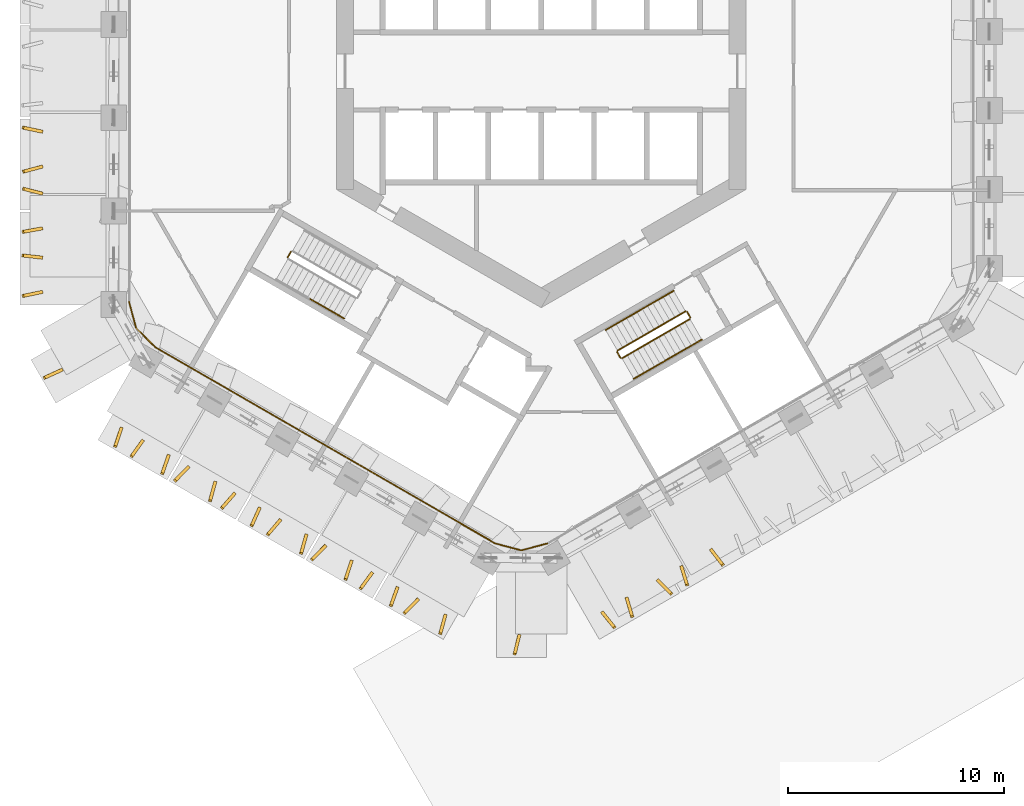
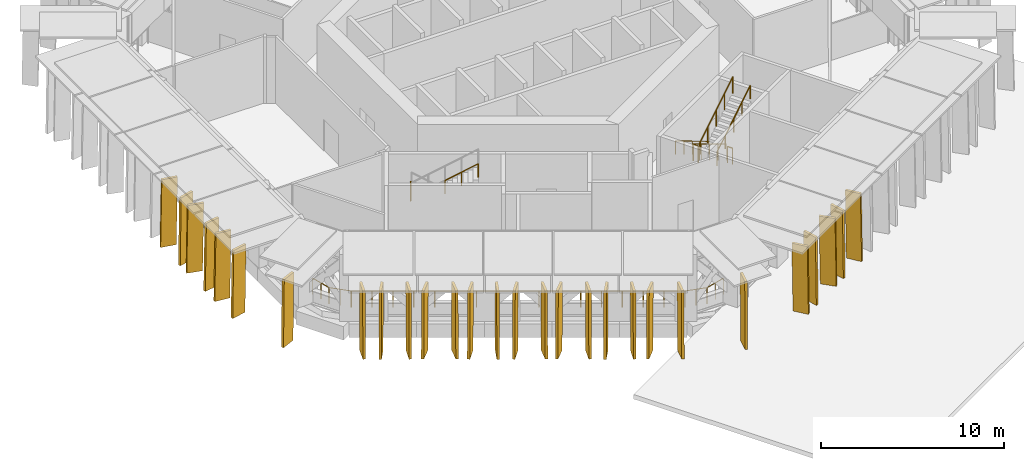
# One storey, part 12 of 16: 28 shading devices, 13 railings.
"""IFC4 building model written with IfcOpenShell, lengths in metres."""

from ifc_helpers import new_model, si_unit, direction, frame, origin, origin_2d, place, context, subcontext, project, spatial, polyline, circle, outline, extrude, material, layer, layer_set, type_object, element, save


model = new_model("IFC4")

# Units and contexts
model_context = context("Model", 3, precision=1e-05, world=origin(), true_north=direction((0.0, 1.0)))
body_context = subcontext(model_context, "Body", "Model", "MODEL_VIEW")
ifc_project = project(units=[si_unit("LENGTHUNIT", "METRE"), si_unit("AREAUNIT", "SQUARE_METRE"), si_unit("VOLUMEUNIT", "CUBIC_METRE"), si_unit("PLANEANGLEUNIT", "RADIAN"), si_unit("MASSUNIT", "GRAM", prefix="KILO")], contexts=[model_context])

# Site, building, storey
site_placement = place(None, origin())
site = spatial("IfcSite", under=ifc_project, at=site_placement, CompositionType="ELEMENT")
building_placement = place(site_placement, origin())
building = spatial("IfcBuilding", under=site, at=building_placement, Name="Ayvan Gate Tower", CompositionType="ELEMENT")
storey_placement = place(building_placement, frame((0.0, 0.0, 78.300048828125)))
storey = spatial("IfcBuildingStorey", under=building, at=storey_placement, Name="L20", CompositionType="ELEMENT", Elevation=78.300048828125)

# Shading devices
ifc_material_1 = material(Name="Bronze anodised aluminium", Category="aluminium")
ifc_layer = layer(ifc_material_1, 0.14990234375)
ifc_layer_set = layer_set([ifc_layer], Name="Bronze anodised aluminium")
shading_device_type = type_object("IfcShadingDeviceType", Name="Bronze fin 900 x 150", PredefinedType="USERDEFINED", material=ifc_layer_set)
shading_device_1_placement = place(storey_placement, frame((-23.167724609375, -2.724609375, 0.0), z_axis=(0.205600355029, 0.978635990691, 0.000302879421), x_axis=(-0.978636035579, 0.205600364459, 0.0)))
element("IfcShadingDevice", 1, at=shading_device_1_placement, inside=storey, type_object=shading_device_type, Name="Bronze fin FG06.3.26", ObjectType="FIN", PredefinedType="USERDEFINED", context=body_context, shape_type="SweptSolid", body=[
    extrude(outline(polyline([(0.0, 0.0), (0.9000888409741108, 2.0328790734103208e-20), (0.8282045230381858, 4.500000206405888), (-0.0718843179359249, 4.500000206405888), (0.0, 0.0)])), origin(), (0.0, 0.0, -1.0), 0.14990234375),
])
shading_device_2_placement = place(storey_placement, frame((-23.197265625, -4.366455078125, 0.0), z_axis=(-0.255534637674, 0.966799839353, 0.000345796303), x_axis=(-0.966799897156, -0.255534652952, 0.0)))
element("IfcShadingDevice", 2, at=shading_device_2_placement, inside=storey, type_object=shading_device_type, Name="Bronze fin FG06.3.27", ObjectType="FIN", PredefinedType="USERDEFINED", context=body_context, shape_type="SweptSolid", body=[
    extrude(outline(polyline([(0.0, 0.0), (0.8999971866563695, 1.3552527156068805e-20), (0.8281864782480977, 4.500000269043961), (-0.07181070840827192, 4.500000269043961), (0.0, 0.0)])), origin(), (0.0, 0.0, -1.0), 0.14990234375),
])
shading_device_3_placement = place(storey_placement, frame((-23.1611328125, -5.5947265625, 0.0), z_axis=(0.244450267778, 0.969661772517, 0.000336900076), x_axis=(-0.969661827547, 0.244450281651, 0.0)))
element("IfcShadingDevice", 3, at=shading_device_3_placement, inside=storey, type_object=shading_device_type, Name="Bronze fin FG06.3.28", ObjectType="FIN", PredefinedType="USERDEFINED", context=body_context, shape_type="SweptSolid", body=[
    extrude(outline(polyline([(0.0, 0.0), (0.8998586609908716, 0.0), (0.8279711900455661, 4.50000025537876), (-0.0718874709453055, 4.50000025537876), (0.0, 0.0)])), origin(), (0.0, 0.0, -1.0), 0.14990234375),
])
shading_device_4_placement = place(storey_placement, frame((-23.198974609375, -7.22802734375, 0.0), z_axis=(-0.174992413085, 0.984569716414, 0.000359003633), x_axis=(-0.984569779861, -0.174992424362, 0.0)))
element("IfcShadingDevice", 4, at=shading_device_4_placement, inside=storey, type_object=shading_device_type, Name="Bronze fin FG06.3.29", ObjectType="FIN", PredefinedType="USERDEFINED", context=body_context, shape_type="SweptSolid", body=[
    extrude(outline(polyline([(0.0, 0.0), (0.8998715441478868, -6.776263578034403e-21), (0.8280003368637328, 4.500000289988147), (-0.07187120728415394, 4.500000289988147), (0.0, 0.0)])), origin(), (0.0, 0.0, -1.0), 0.14990234375),
])
shading_device_5_placement = place(storey_placement, frame((-23.181396484375, -8.57080078125, 0.0), z_axis=(0.111086522874, 0.99381068754, 0.000319009877), x_axis=(-0.993810738107, 0.111086528541, -4.7814e-08)))
element("IfcShadingDevice", 5, at=shading_device_5_placement, inside=storey, type_object=shading_device_type, Name="Bronze fin FG06.3.30", ObjectType="FIN", PredefinedType="USERDEFINED", context=body_context, shape_type="SweptSolid", body=[
    extrude(outline(polyline([(0.0, 0.0), (0.8998716333954143, 0.0), (0.8282085033390822, 4.5000002685764535), (-0.07187863889655798, 4.500000182513136), (0.0, 0.0)])), origin(), (0.0, 0.0, -1.0), 0.14990234375),
])
shading_device_6_placement = place(storey_placement, frame((-23.198486328125, -10.17431640625, 0.0), z_axis=(-0.206277023189, 0.978493571539, 0.000346641632), x_axis=(-0.978493630331, -0.206277035564, -5.5692e-08)))
element("IfcShadingDevice", 6, at=shading_device_6_placement, inside=storey, type_object=shading_device_type, Name="Bronze fin FG06.3.31", ObjectType="FIN", PredefinedType="USERDEFINED", context=body_context, shape_type="SweptSolid", body=[
    extrude(outline(polyline([(0.0, 0.0), (0.9001893469882734, -1.3552527156068805e-20), (0.828191510262784, 4.500000316484449), (-0.07180930728340729, 4.500000216228631), (0.0, 0.0)])), origin(), (0.0, 0.0, -1.0), 0.14990234375),
])
shading_device_7_placement = place(storey_placement, frame((-22.28662109375, -13.797119140625, 0.0), z_axis=(-0.413700721719, 0.910412866944, 0.000352919001), x_axis=(-0.910412923641, -0.413700747483, 0.0)))
element("IfcShadingDevice", 7, at=shading_device_7_placement, inside=storey, type_object=shading_device_type, Name="Bronze fin FG06.4.32", ObjectType="FIN", PredefinedType="USERDEFINED", context=body_context, shape_type="SweptSolid", body=[
    extrude(outline(polyline([(0.0, 0.0), (0.8999607938598058, 0.0), (0.8280098199792737, 4.500000280241624), (-0.07195097388053205, 4.500000280241624), (0.0, 0.0)])), origin(), (0.0, 0.0, -1.0), 0.14990234375),
])
shading_device_8_placement = place(storey_placement, frame((-19.552001953125, -16.563232421875, 0.0), z_axis=(-0.947825522784, 0.318789385417, 0.000325736749), x_axis=(-0.318789402342, -0.947825573064, -4.1863e-08)))
element("IfcShadingDevice", 8, at=shading_device_8_placement, inside=storey, type_object=shading_device_type, Name="Bronze fin FG06.5.33", ObjectType="FIN", PredefinedType="USERDEFINED", context=body_context, shape_type="SweptSolid", body=[
    extrude(outline(polyline([(0.0, 0.0), (0.9002799597200875, 0.0), (0.8283982713443631, 4.500000273414011), (-0.07180385893179313, 4.5000001980408975), (0.0, 0.0)])), origin(), (0.0, 0.0, -1.0), 0.14990234375),
])
shading_device_9_placement = place(storey_placement, frame((-18.55810546875, -17.118896484375, 0.0), z_axis=(-0.812485133158, 0.582981820086, 0.000325339394), x_axis=(-0.582981850939, -0.812485176157, 0.0)))
element("IfcShadingDevice", 9, at=shading_device_9_placement, inside=storey, type_object=shading_device_type, Name="Bronze fin FG06.5.34", ObjectType="FIN", PredefinedType="USERDEFINED", context=body_context, shape_type="SweptSolid", body=[
    extrude(outline(polyline([(0.0, 0.0), (0.8999563233055965, -2.710505431213761e-20), (0.8282915718011324, 4.500000238152892), (-0.07166475150446404, 4.500000238152892), (0.0, 0.0)])), origin(), (0.0, 0.0, -1.0), 0.14990234375),
])
shading_device_10_placement = place(storey_placement, frame((-17.362060546875, -17.827880859375, 0.0), z_axis=(-0.944183457998, 0.329419939597, 0.000317865729), x_axis=(-0.329419956227, -0.944183505702, 4.0704e-08)))
element("IfcShadingDevice", 10, at=shading_device_10_placement, inside=storey, type_object=shading_device_type, Name="Bronze fin FG06.5.35", ObjectType="FIN", PredefinedType="USERDEFINED", context=body_context, shape_type="SweptSolid", body=[
    extrude(outline(polyline([(0.0, 0.0), (0.9000533716327275, 0.0), (0.8282284856843766, 4.500000193624333), (-0.07190531074235162, 4.500000266899964), (0.0, 0.0)])), origin(), (0.0, 0.0, -1.0), 0.14990234375),
])
shading_device_11_placement = place(storey_placement, frame((-16.426513671875, -18.3232421875, 0.0), z_axis=(-0.713990370445, 0.700155450653, 0.000309567869), x_axis=(-0.700155484202, -0.713990404657, 0.0)))
element("IfcShadingDevice", 11, at=shading_device_11_placement, inside=storey, type_object=shading_device_type, Name="Bronze fin FG06.5.36", ObjectType="FIN", PredefinedType="USERDEFINED", context=body_context, shape_type="SweptSolid", body=[
    extrude(outline(polyline([(0.0, 0.0), (0.89998145746627, -2.710505431213761e-20), (0.8281761168799169, 4.500000215622613), (-0.0718053405863532, 4.500000215622613), (0.0, 0.0)])), origin(), (0.0, 0.0, -1.0), 0.14990234375),
])
shading_device_12_placement = place(storey_placement, frame((-15.201171875, -19.073974609375, 0.0), z_axis=(-0.964239142328, 0.265033518654, 0.000332254717), x_axis=(-0.265033533286, -0.964239195549, -1.1946e-08)))
element("IfcShadingDevice", 12, at=shading_device_12_placement, inside=storey, type_object=shading_device_type, Name="Bronze fin FG06.5.37", ObjectType="FIN", PredefinedType="USERDEFINED", context=body_context, shape_type="SweptSolid", body=[
    extrude(outline(polyline([(0.0, 0.0), (0.8998642243660473, 0.0), (0.8280433039264007, 4.500000258276122), (-0.07205633039949752, 4.500000236774619), (0.0, 0.0)])), origin(), (0.0, 0.0, -1.0), 0.14990234375),
])
shading_device_13_placement = place(storey_placement, frame((-14.29736328125, -19.563232421875, 0.0), z_axis=(-0.750960993753, 0.660346480778, 0.00033344463), x_axis=(-0.660346517489, -0.750961035501, 0.0)))
element("IfcShadingDevice", 13, at=shading_device_13_placement, inside=storey, type_object=shading_device_type, Name="Bronze fin FG06.5.38", ObjectType="FIN", PredefinedType="USERDEFINED", context=body_context, shape_type="SweptSolid", body=[
    extrude(outline(polyline([(0.0, 0.0), (0.8998885668539837, 0.0), (0.8280215010131775, 4.500000250166995), (-0.0718670658408061, 4.500000250166995), (0.0, 0.0)])), origin(), (0.0, 0.0, -1.0), 0.14990234375),
])
shading_device_14_placement = place(storey_placement, frame((-13.14453125, -20.26171875, 0.0), z_axis=(-0.91191637683, 0.41037593572, 0.000336231704), x_axis=(-0.41037595893, -0.911916428371, -4.1594e-08)))
element("IfcShadingDevice", 14, at=shading_device_14_placement, inside=storey, type_object=shading_device_type, Name="Bronze fin FG06.5.39", ObjectType="FIN", PredefinedType="USERDEFINED", context=body_context, shape_type="SweptSolid", body=[
    extrude(outline(polyline([(0.0, 0.0), (0.8998657084020609, -2.710505431213761e-20), (0.8279203267167369, 4.500000288802634), (-0.071845192242226, 4.500000213949571), (0.0, 0.0)])), origin(), (0.0, 0.0, -1.0), 0.14990234375),
])
shading_device_15_placement = place(storey_placement, frame((-12.177978515625, -20.78955078125, 0.0), z_axis=(-0.760652666571, 0.649158998254, 0.000340328941), x_axis=(-0.649159035848, -0.760652710622, 0.0)))
element("IfcShadingDevice", 15, at=shading_device_15_placement, inside=storey, type_object=shading_device_type, Name="Bronze fin FG06.5.40", ObjectType="FIN", PredefinedType="USERDEFINED", context=body_context, shape_type="SweptSolid", body=[
    extrude(outline(polyline([(0.0, 0.0), (0.8999774837326424, -2.710505431213761e-20), (0.8280588393568872, 4.500000260603546), (-0.07191864437575517, 4.500000260603546), (0.0, 0.0)])), origin(), (0.0, 0.0, -1.0), 0.14990234375),
])
shading_device_16_placement = place(storey_placement, frame((-10.97314453125, -21.51513671875, 0.0), z_axis=(-0.962616633679, 0.270867326681, 0.00032848143), x_axis=(-0.270867341277, -0.962616685618, 5.4952e-08)))
element("IfcShadingDevice", 16, at=shading_device_16_placement, inside=storey, type_object=shading_device_type, Name="Bronze fin FG06.5.41", ObjectType="FIN", PredefinedType="USERDEFINED", context=body_context, shape_type="SweptSolid", body=[
    extrude(outline(polyline([(0.0, 0.0), (0.9000615780887491, 0.0), (0.8281668963307929, 4.50000019726585), (-0.0717257976406858, 4.500000296176637), (0.0, 0.0)])), origin(), (0.0, 0.0, -1.0), 0.14990234375),
])
shading_device_17_placement = place(storey_placement, frame((-10.08251953125, -21.985107421875, 0.0), z_axis=(-0.710287441491, 0.703911675687, 0.000321392164), x_axis=(-0.703911712034, -0.710287478181, 3.097e-08)))
element("IfcShadingDevice", 17, at=shading_device_17_placement, inside=storey, type_object=shading_device_type, Name="Bronze fin FG06.5.42", ObjectType="FIN", PredefinedType="USERDEFINED", context=body_context, shape_type="SweptSolid", body=[
    extrude(outline(polyline([(0.0, 0.0), (0.8997752926990306, 2.710505431213761e-20), (0.8279652991878486, 4.500000206766761), (-0.07198184695650284, 4.500000262504708), (0.0, 0.0)])), origin(), (0.0, 0.0, -1.0), 0.14990234375),
])
shading_device_18_placement = place(storey_placement, frame((-8.875732421875, -22.727294921875, 0.0), z_axis=(-0.949291830509, 0.314396122749, 0.000313892976), x_axis=(-0.314396138242, -0.949291877274, -1.3387e-08)))
element("IfcShadingDevice", 18, at=shading_device_18_placement, inside=storey, type_object=shading_device_type, Name="Bronze fin FG06.5.43", ObjectType="FIN", PredefinedType="USERDEFINED", context=body_context, shape_type="SweptSolid", body=[
    extrude(outline(polyline([(0.0, 0.0), (0.89989194404405, 0.0), (0.8281719932874363, 4.500000232776434), (-0.07195171146883896, 4.500000208679889), (0.0, 0.0)])), origin(), (0.0, 0.0, -1.0), 0.14990234375),
])
shading_device_19_placement = place(storey_placement, frame((-7.92626953125, -23.255859375, 0.0), z_axis=(-0.806654949612, 0.591022574044, 0.000330509638), x_axis=(-0.591022606324, -0.806654993671, 0.0)))
element("IfcShadingDevice", 19, at=shading_device_19_placement, inside=storey, type_object=shading_device_type, Name="Bronze fin FG06.5.44", ObjectType="FIN", PredefinedType="USERDEFINED", context=body_context, shape_type="SweptSolid", body=[
    extrude(outline(polyline([(0.0, 0.0), (0.9001050318254051, 0.0), (0.8281933338149174, 4.5000002457824175), (-0.07191169801048763, 4.5000002457824175), (0.0, 0.0)])), origin(), (0.0, 0.0, -1.0), 0.14990234375),
])
shading_device_20_placement = place(storey_placement, frame((-6.7509765625, -23.954345703125, 0.0), z_axis=(-0.940799144257, 0.338964397563, 0.000327642165), x_axis=(-0.338964415744, -0.940799194759, 4.1812e-08)))
element("IfcShadingDevice", 20, at=shading_device_20_placement, inside=storey, type_object=shading_device_type, Name="Bronze fin FG06.5.45", ObjectType="FIN", PredefinedType="USERDEFINED", context=body_context, shape_type="SweptSolid", body=[
    extrude(outline(polyline([(0.0, 0.0), (0.8999165436251791, 0.0), (0.8280634499907235, 4.500000206912873), (-0.07193584861876824, 4.500000282171578), (0.0, 0.0)])), origin(), (0.0, 0.0, -1.0), 0.14990234375),
])
shading_device_21_placement = place(storey_placement, frame((-5.791015625, -24.464599609375, 0.0), z_axis=(-0.716471153917, 0.697616649867, 0.000308922538), x_axis=(-0.697616683148, -0.716471188111, 3.0025e-08)))
element("IfcShadingDevice", 21, at=shading_device_21_placement, inside=storey, type_object=shading_device_type, Name="Bronze fin FG06.5.46", ObjectType="FIN", PredefinedType="USERDEFINED", context=body_context, shape_type="SweptSolid", body=[
    extrude(outline(polyline([(0.0, 0.0), (0.8998468994568811, 0.0), (0.8280424880097126, 4.5000001898622095), (-0.07197472802020284, 4.500000243903968), (0.0, 0.0)])), origin(), (0.0, 0.0, -1.0), 0.14990234375),
])
shading_device_22_placement = place(storey_placement, frame((-4.52587890625, -25.237060546875, 0.0), z_axis=(-0.964578868587, 0.263794417801, 0.000333784164), x_axis=(-0.26379443251, -0.964578922316, -4.3665e-08)))
element("IfcShadingDevice", 22, at=shading_device_22_placement, inside=storey, type_object=shading_device_type, Name="Bronze fin FG06.5.47", ObjectType="FIN", PredefinedType="USERDEFINED", context=body_context, shape_type="SweptSolid", body=[
    extrude(outline(polyline([(0.0, 0.0), (0.9000768141085735, -1.3552527156068805e-20), (0.8282577727857703, 4.5000002868426465), (-0.07175463838517863, 4.500000208241658), (0.0, 0.0)])), origin(), (0.0, 0.0, -1.0), 0.14990234375),
])
shading_device_23_placement = place(storey_placement, frame((-1.097900390625, -26.177734375, 0.0), z_axis=(-0.970555886714, 0.240875804193, 0.000343103021), x_axis=(-0.240875818371, -0.970555943841, 0.0)))
element("IfcShadingDevice", 23, at=shading_device_23_placement, inside=storey, type_object=shading_device_type, Name="Bronze fin FG06.6.48", ObjectType="FIN", PredefinedType="USERDEFINED", context=body_context, shape_type="SweptSolid", body=[
    extrude(outline(polyline([(0.0, 0.0), (0.9000358627379677, 0.0), (0.8282132733665653, 4.500000264869311), (-0.0718225893714023, 4.500000264869311), (0.0, 0.0)])), origin(), (0.0, 0.0, -1.0), 0.14990234375),
])
shading_device_24_placement = place(storey_placement, frame((2.79443359375, -25.17431640625, 0.0), z_axis=(-0.778547668238, -0.62758537647, 0.000351458673), x_axis=(0.62758541524, -0.778547716314, 3.711e-08)))
element("IfcShadingDevice", 24, at=shading_device_24_placement, inside=storey, type_object=shading_device_type, Name="Bronze fin FG06.7.49", ObjectType="FIN", PredefinedType="USERDEFINED", context=body_context, shape_type="SweptSolid", body=[
    extrude(outline(polyline([(0.0, 0.0), (0.9000645988005556, -2.710505431213761e-20), (0.8281978242338633, 4.500000247192457), (-0.07171355547117463, 4.500000313990323), (0.0, 0.0)])), origin(), (0.0, 0.0, -1.0), 0.14990234375),
])
shading_device_25_placement = place(storey_placement, frame((3.9033203125, -24.49267578125, 0.0), z_axis=(-0.958975767429, -0.283487885987, 0.000309811727), x_axis=(0.283487899592, -0.958975813452, 0.0)))
element("IfcShadingDevice", 25, at=shading_device_25_placement, inside=storey, type_object=shading_device_type, Name="Bronze fin FG06.7.50", ObjectType="FIN", PredefinedType="USERDEFINED", context=body_context, shape_type="SweptSolid", body=[
    extrude(outline(polyline([(0.0, 0.0), (0.8999571180724122, 0.0), (0.8280671797939952, 4.500000215962456), (-0.07188993827841701, 4.500000215962456), (0.0, 0.0)])), origin(), (0.0, 0.0, -1.0), 0.14990234375),
])
shading_device_26_placement = place(storey_placement, frame((5.373779296875, -23.683349609375, 0.0), z_axis=(-0.707513552974, -0.706699695359, 0.000336060672), x_axis=(0.706699735266, -0.707513592926, 0.0)))
element("IfcShadingDevice", 26, at=shading_device_26_placement, inside=storey, type_object=shading_device_type, Name="Bronze fin FG06.7.51", ObjectType="FIN", PredefinedType="USERDEFINED", context=body_context, shape_type="SweptSolid", body=[
    extrude(outline(polyline([(0.0, 0.0), (0.899938540214543, 0.0), (0.8279494920486516, 4.500000254107765), (-0.07198904816589134, 4.500000254107765), (0.0, 0.0)])), origin(), (0.0, 0.0, -1.0), 0.14990234375),
])
shading_device_27_placement = place(storey_placement, frame((6.439453125, -23.031494140625, 0.0), z_axis=(-0.954520950043, -0.298143676026, 0.000323072405), x_axis=(0.298143691589, -0.954520999856, 1.3067e-08)))
element("IfcShadingDevice", 27, at=shading_device_27_placement, inside=storey, type_object=shading_device_type, Name="Bronze fin FG06.7.52", ObjectType="FIN", PredefinedType="USERDEFINED", context=body_context, shape_type="SweptSolid", body=[
    extrude(outline(polyline([(0.0, 0.0), (0.8998205064816784, 1.3552527156068805e-20), (0.8281353346514524, 4.500000224024183), (-0.07191820918370635, 4.500000247543341), (0.0, 0.0)])), origin(), (0.0, 0.0, -1.0), 0.14990234375),
])
shading_device_28_placement = place(storey_placement, frame((7.8349609375, -22.263671875, 0.0), z_axis=(-0.79281547836, -0.609461642106, 0.000352241533), x_axis=(0.609461679915, -0.792815527544, 0.0)))
element("IfcShadingDevice", 28, at=shading_device_28_placement, inside=storey, type_object=shading_device_type, Name="Bronze fin FG06.7.53", ObjectType="FIN", PredefinedType="USERDEFINED", context=body_context, shape_type="SweptSolid", body=[
    extrude(outline(polyline([(0.0, 0.0), (0.9001123490675533, -2.710505431213761e-20), (0.8283487718377719, 4.500000279166747), (-0.07176357722978141, 4.500000279166747), (0.0, 0.0)])), origin(), (0.0, 0.0, -1.0), 0.14990234375),
])

# Railings
ifc_material_2 = material(Name="Stainless steel balustrade", Category="steel")
railing_type_1 = type_object("IfcRailingType", Name="RL-GUARD-1100", PredefinedType="GUARDRAIL", material=ifc_material_2)
railing_1_placement = place(storey_placement, frame((-11.601806640625, -8.36474609375, 2.39990234375)))
element("IfcRailing", 29, at=railing_1_placement, inside=storey, type_object=railing_type_1, Name="L20 STS2 stair guard 2", PredefinedType="GUARDRAIL", context=body_context, shape_type="SweptSolid", body=[
    extrude(circle(Radius=0.02392578125, at=origin_2d()), frame((0.0, 0.0, 1.076171875), z_axis=(-0.499949632511, -0.866054481515, 0.0), x_axis=(0.866054481515, -0.499949632511, 0.0)), (0.0, 0.0, 1.0), 0.31005859375),
    extrude(circle(Radius=0.02099609375, at=origin_2d()), origin(), (0.0, 0.0, 1.0), 1.052001953125),
    extrude(circle(Radius=0.02099609375, at=origin_2d()), frame((-0.155029296875, -0.2685546875, 0.0)), (0.0, 0.0, 1.0), 1.052001953125),
])
railing_2_placement = place(storey_placement, frame((6.6923828125, -11.1416015625, 0.17138671875)))
element("IfcRailing", 30, at=railing_2_placement, inside=storey, type_object=railing_type_1, Name="L20 STS3 stair guard 1", PredefinedType="GUARDRAIL", context=body_context, shape_type="SweptSolid", body=[
    extrude(circle(Radius=0.02392578125, at=origin_2d()), frame((0.0, 0.0, 1.076171875), z_axis=(-0.738610110021, -0.426394033464, 0.52215250033), x_axis=(0.499962438169, -0.866047089031, 0.0)), (0.0, 0.0, 1.0), 4.267822265625),
    extrude(circle(Radius=0.02099609375, at=origin_2d()), origin(), (0.0, 0.0, 1.0), 1.052001953125),
    extrude(circle(Radius=0.02099609375, at=origin_2d()), frame((-0.7880859375, -0.455078125, 0.55712890625)), (0.0, 0.0, 1.0), 1.052001953125),
    extrude(circle(Radius=0.02099609375, at=origin_2d()), frame((-1.576171875, -0.909912109375, 1.1142578125)), (0.0, 0.0, 1.0), 1.052001953125),
    extrude(circle(Radius=0.02099609375, at=origin_2d()), frame((-2.3642578125, -1.36474609375, 1.67138671875)), (0.0, 0.0, 1.0), 1.052001953125),
    extrude(circle(Radius=0.02099609375, at=origin_2d()), frame((-3.15234375, -1.81982421875, 2.228515625)), (0.0, 0.0, 1.0), 1.052001953125),
])
railing_3_placement = place(storey_placement, frame((3.521728515625, -13.02978515625, 2.39990234375)))
element("IfcRailing", 31, at=railing_3_placement, inside=storey, type_object=railing_type_1, Name="L20 STS3 stair guard 2", PredefinedType="GUARDRAIL", context=body_context, shape_type="SweptSolid", body=[
    extrude(circle(Radius=0.02392578125, at=origin_2d()), frame((0.0, 0.0, 1.076171875), z_axis=(0.499949632511, -0.866054481515, 0.0), x_axis=(0.866054481515, 0.499949632511, 0.0)), (0.0, 0.0, 1.0), 0.31005859375),
    extrude(circle(Radius=0.02099609375, at=origin_2d()), origin(), (0.0, 0.0, 1.0), 1.052001953125),
    extrude(circle(Radius=0.02099609375, at=origin_2d()), frame((0.155029296875, -0.2685546875, 0.0)), (0.0, 0.0, 1.0), 1.052001953125),
])
railing_4_placement = place(storey_placement, frame((3.7451171875, -13.316650390625, 2.5712890625)))
element("IfcRailing", 32, at=railing_4_placement, inside=storey, type_object=railing_type_1, Name="L20 STS3 stair guard 3", PredefinedType="GUARDRAIL", context=body_context, shape_type="SweptSolid", body=[
    extrude(circle(Radius=0.02392578125, at=origin_2d()), frame((0.0, 0.0, 1.076171875), z_axis=(0.738570033827, 0.426428098062, 0.522181369177), x_axis=(-0.500012742938, 0.866018046521, 0.0)), (0.0, 0.0, 1.0), 4.26806640625),
    extrude(circle(Radius=0.02099609375, at=origin_2d()), origin(), (0.0, 0.0, 1.0), 1.052001953125),
    extrude(circle(Radius=0.02099609375, at=origin_2d()), frame((0.7880859375, 0.455078125, 0.55712890625)), (0.0, 0.0, 1.0), 1.052001953125),
    extrude(circle(Radius=0.02099609375, at=origin_2d()), frame((1.576171875, 0.91015625, 1.1142578125)), (0.0, 0.0, 1.0), 1.052001953125),
    extrude(circle(Radius=0.02099609375, at=origin_2d()), frame((2.3642578125, 1.364990234375, 1.671630859375)), (0.0, 0.0, 1.0), 1.052001953125),
    extrude(circle(Radius=0.02099609375, at=origin_2d()), frame((3.15234375, 1.820068359375, 2.228759765625)), (0.0, 0.0, 1.0), 1.052001953125),
])
railing_5_placement = place(storey_placement, frame((6.7607421875, -11.159912109375, 0.0)))
element("IfcRailing", 33, at=railing_5_placement, inside=storey, type_object=railing_type_1, Name="L20 STS3 stair guard 4", PredefinedType="GUARDRAIL", context=body_context, shape_type="SweptSolid", body=[
    extrude(circle(Radius=0.02392578125, at=origin_2d()), frame((0.0, 0.0, 1.076171875), z_axis=(0.500290723946, -0.86585748916, 0.0), x_axis=(0.86585748916, 0.500290723946, 0.0)), (0.0, 0.0, 1.0), 0.309814453125),
    extrude(circle(Radius=0.02099609375, at=origin_2d()), origin(), (0.0, 0.0, 1.0), 1.052001953125),
    extrude(circle(Radius=0.02099609375, at=origin_2d()), frame((0.155029296875, -0.268310546875, 0.0)), (0.0, 0.0, 1.0), 1.052001953125),
])
railing_type_2 = type_object("IfcRailingType", Name="RL-HANDRAIL-900", PredefinedType="HANDRAIL", material=ifc_material_2)
railing_6_placement = place(storey_placement, frame((-10.712158203125, -10.564208984375, 3.685546875)))
element("IfcRailing", 34, at=railing_6_placement, inside=storey, type_object=railing_type_2, Name="L20 STS2 stair handrail 4", PredefinedType="HANDRAIL", context=body_context, shape_type="SweptSolid", body=[
    extrude(circle(Radius=0.02392578125, at=origin_2d()), frame((0.0, 0.0, 0.8759765625), z_axis=(0.738565986212, -0.426368561123, 0.522235707413), x_axis=(0.499962438169, 0.866047089031, 0.0)), (0.0, 0.0, 1.0), 2.134033203125),
    extrude(circle(Radius=0.02099609375, at=origin_2d()), origin(), (0.0, 0.0, 1.0), 0.851806640625),
    extrude(circle(Radius=0.02099609375, at=origin_2d()), frame((0.7880859375, -0.455078125, 0.55712890625)), (0.0, 0.0, 1.0), 0.851806640625),
    extrude(circle(Radius=0.02099609375, at=origin_2d()), frame((1.576171875, -0.909912109375, 1.114501953125)), (0.0, 0.0, 1.0), 0.851806640625),
])
for number, where, name in (
    (35, (6.142333984375, -10.18896484375, 0.17138671875), "L20 STS3 stair handrail 1"),
    (36, (4.566162109375, -11.098876953125, 1.28564453125), "L20 STS3 stair handrail 2"),
):
    element("IfcRailing", number, at=place(storey_placement, frame(where)), inside=storey, type_object=railing_type_2, Name=name, PredefinedType="HANDRAIL", context=body_context, shape_type="SweptSolid", body=[
        extrude(circle(Radius=0.02392578125, at=origin_2d()), frame((0.0, 0.0, 0.8759765625), z_axis=(-0.738610110021, -0.426394033464, 0.52215250033), x_axis=(0.499962438169, -0.866047089031, 0.0)), (0.0, 0.0, 1.0), 2.134033203125),
        extrude(circle(Radius=0.02099609375, at=origin_2d()), origin(), (0.0, 0.0, 1.0), 0.851806640625),
        extrude(circle(Radius=0.02099609375, at=origin_2d()), frame((-0.7880859375, -0.455078125, 0.55712890625)), (0.0, 0.0, 1.0), 0.851806640625),
        extrude(circle(Radius=0.02099609375, at=origin_2d()), frame((-1.576171875, -0.909912109375, 1.1142578125)), (0.0, 0.0, 1.0), 0.851806640625),
    ])
railing_7_placement = place(storey_placement, frame((4.294921875, -14.269287109375, 2.5712890625)))
element("IfcRailing", 37, at=railing_7_placement, inside=storey, type_object=railing_type_2, Name="L20 STS3 stair handrail 3", PredefinedType="HANDRAIL", context=body_context, shape_type="SweptSolid", body=[
    extrude(circle(Radius=0.02392578125, at=origin_2d()), frame((0.0, 0.0, 0.8759765625), z_axis=(0.738574076676, 0.426487632876, 0.522127026944), x_axis=(-0.500063042646, 0.865989003036, 0.0)), (0.0, 0.0, 1.0), 2.134033203125),
    extrude(circle(Radius=0.02099609375, at=origin_2d()), origin(), (0.0, 0.0, 1.0), 0.851806640625),
    extrude(circle(Radius=0.02099609375, at=origin_2d()), frame((0.7880859375, 0.455078125, 0.55712890625)), (0.0, 0.0, 1.0), 0.851806640625),
    extrude(circle(Radius=0.02099609375, at=origin_2d()), frame((1.576171875, 0.91015625, 1.1142578125)), (0.0, 0.0, 1.0), 0.851806640625),
])
railing_8_placement = place(storey_placement, frame((5.87109375, -13.359130859375, 3.685546875)))
element("IfcRailing", 38, at=railing_8_placement, inside=storey, type_object=railing_type_2, Name="L20 STS3 stair handrail 4", PredefinedType="HANDRAIL", context=body_context, shape_type="SweptSolid", body=[
    extrude(circle(Radius=0.02392578125, at=origin_2d()), frame((0.0, 0.0, 0.8759765625), z_axis=(0.738565986212, 0.426368561123, 0.522235707413), x_axis=(-0.499962438169, 0.866047089031, 0.0)), (0.0, 0.0, 1.0), 2.134033203125),
    extrude(circle(Radius=0.02099609375, at=origin_2d()), origin(), (0.0, 0.0, 1.0), 0.851806640625),
    extrude(circle(Radius=0.02099609375, at=origin_2d()), frame((0.7880859375, 0.455078125, 0.55712890625)), (0.0, 0.0, 1.0), 0.851806640625),
    extrude(circle(Radius=0.02099609375, at=origin_2d()), frame((1.576171875, 0.909912109375, 1.114501953125)), (0.0, 0.0, 1.0), 0.851806640625),
])
ifc_material_3 = material(Name="Stainless steel 316 and laminated glass", Category="steel")
railing_type_3 = type_object("IfcRailingType", Name="Refuge band guard 1100", PredefinedType="GUARDRAIL", material=ifc_material_3)
railing_9_placement = place(storey_placement, frame((-19.113037109375, -10.701416015625, 0.0)))
element("IfcRailing", 39, at=railing_9_placement, inside=storey, type_object=railing_type_3, Name="Refuge band guard L20.4", PredefinedType="GUARDRAIL", context=body_context, shape_type="SweptSolid", body=[
    extrude(circle(Radius=0.02490234375, at=origin_2d()), frame((0.0, 0.0, 1.0751953125), z_axis=(0.258911363806, -0.965901084838, 0.0), x_axis=(0.965901084838, 0.258911363806, 0.0)), (0.0, 0.0, 1.0), 1.253173828125),
    extrude(circle(Radius=0.02490234375, at=origin_2d()), frame((0.324462890625, -1.21044921875, 1.0751953125), z_axis=(0.707009363432, -0.707204185522, 0.0), x_axis=(0.707204185522, 0.707009363432, 0.0)), (0.0, 0.0, 1.0), 1.253173828125),
    extrude(circle(Radius=0.02001953125, at=origin_2d()), origin(), (0.0, 0.0, 1.0), 1.050048828125),
    extrude(circle(Radius=0.02001953125, at=origin_2d()), frame((0.162109375, -0.605224609375, 0.0)), (0.0, 0.0, 1.0), 1.050048828125),
    extrude(circle(Radius=0.02001953125, at=origin_2d()), frame((0.324462890625, -1.21044921875, 0.0)), (0.0, 0.0, 1.0), 1.050048828125),
    extrude(circle(Radius=0.02001953125, at=origin_2d()), frame((0.767578125, -1.653564453125, 0.0)), (0.0, 0.0, 1.0), 1.050048828125),
    extrude(circle(Radius=0.02001953125, at=origin_2d()), frame((1.21044921875, -2.0966796875, 0.0)), (0.0, 0.0, 1.0), 1.050048828125),
])
railing_10_placement = place(storey_placement, frame((-17.902587890625, -12.798095703125, 0.0)))
element("IfcRailing", 40, at=railing_10_placement, inside=storey, type_object=railing_type_3, Name="Refuge band guard L20.5", PredefinedType="GUARDRAIL", context=body_context, shape_type="SweptSolid", body=[
    extrude(circle(Radius=0.02490234375, at=origin_2d()), frame((0.0, 0.0, 1.0751953125), z_axis=(0.866028410865, -0.499994791547, 0.0), x_axis=(0.499994791547, 0.866028410865, 0.0)), (0.0, 0.0, 1.0), 18.210205078125),
    extrude(circle(Radius=0.02001953125, at=origin_2d()), origin(), (0.0, 0.0, 1.0), 1.050048828125),
    extrude(circle(Radius=0.02001953125, at=origin_2d()), frame((0.985595703125, -0.569091796875, 0.0)), (0.0, 0.0, 1.0), 1.050048828125),
    extrude(circle(Radius=0.02001953125, at=origin_2d()), frame((1.97119140625, -1.13818359375, 0.0)), (0.0, 0.0, 1.0), 1.050048828125),
    extrude(circle(Radius=0.02001953125, at=origin_2d()), frame((2.95703125, -1.707275390625, 0.0)), (0.0, 0.0, 1.0), 1.050048828125),
    extrude(circle(Radius=0.02001953125, at=origin_2d()), frame((3.942626953125, -2.2763671875, 0.0)), (0.0, 0.0, 1.0), 1.050048828125),
    extrude(circle(Radius=0.02001953125, at=origin_2d()), frame((4.92822265625, -2.84521484375, 0.0)), (0.0, 0.0, 1.0), 1.050048828125),
    extrude(circle(Radius=0.02001953125, at=origin_2d()), frame((5.9140625, -3.414306640625, 0.0)), (0.0, 0.0, 1.0), 1.050048828125),
    extrude(circle(Radius=0.02001953125, at=origin_2d()), frame((6.899658203125, -3.9833984375, 0.0)), (0.0, 0.0, 1.0), 1.050048828125),
    extrude(circle(Radius=0.02001953125, at=origin_2d()), frame((7.88525390625, -4.552490234375, 0.0)), (0.0, 0.0, 1.0), 1.050048828125),
    extrude(circle(Radius=0.02001953125, at=origin_2d()), frame((8.870849609375, -5.12158203125, 0.0)), (0.0, 0.0, 1.0), 1.050048828125),
    extrude(circle(Radius=0.02001953125, at=origin_2d()), frame((9.8564453125, -5.690673828125, 0.0)), (0.0, 0.0, 1.0), 1.050048828125),
    extrude(circle(Radius=0.02001953125, at=origin_2d()), frame((10.84228515625, -6.259765625, 0.0)), (0.0, 0.0, 1.0), 1.050048828125),
    extrude(circle(Radius=0.02001953125, at=origin_2d()), frame((11.827880859375, -6.82861328125, 0.0)), (0.0, 0.0, 1.0), 1.050048828125),
    extrude(circle(Radius=0.02001953125, at=origin_2d()), frame((12.8134765625, -7.397705078125, 0.0)), (0.0, 0.0, 1.0), 1.050048828125),
    extrude(circle(Radius=0.02001953125, at=origin_2d()), frame((13.79931640625, -7.966796875, 0.0)), (0.0, 0.0, 1.0), 1.050048828125),
    extrude(circle(Radius=0.02001953125, at=origin_2d()), frame((14.784912109375, -8.535888671875, 0.0)), (0.0, 0.0, 1.0), 1.050048828125),
    extrude(circle(Radius=0.02001953125, at=origin_2d()), frame((15.7705078125, -9.10498046875, 0.0)), (0.0, 0.0, 1.0), 1.050048828125),
])
railing_11_placement = place(storey_placement, frame((-2.132080078125, -21.903076171875, 0.0)))
element("IfcRailing", 41, at=railing_11_placement, inside=storey, type_object=railing_type_3, Name="Refuge band guard L20.6", PredefinedType="GUARDRAIL", context=body_context, shape_type="SweptSolid", body=[
    extrude(circle(Radius=0.02490234375, at=origin_2d()), frame((0.0, 0.0, 1.0751953125), z_axis=(0.965949790486, -0.258729592934, 0.0), x_axis=(0.258729592934, 0.965949790486, 0.0)), (0.0, 0.0, 1.0), 1.253173828125),
    extrude(circle(Radius=0.02490234375, at=origin_2d()), frame((1.21044921875, -0.32421875, 1.0751953125), z_axis=(0.965949790486, 0.258729592934, 0.0), x_axis=(-0.258729592934, 0.965949790486, 0.0)), (0.0, 0.0, 1.0), 1.253173828125),
    extrude(circle(Radius=0.02001953125, at=origin_2d()), origin(), (0.0, 0.0, 1.0), 1.050048828125),
    extrude(circle(Radius=0.02001953125, at=origin_2d()), frame((0.605224609375, -0.162109375, 0.0)), (0.0, 0.0, 1.0), 1.050048828125),
    extrude(circle(Radius=0.02001953125, at=origin_2d()), frame((1.21044921875, -0.32421875, 0.0)), (0.0, 0.0, 1.0), 1.050048828125),
    extrude(circle(Radius=0.02001953125, at=origin_2d()), frame((1.815673828125, -0.162109375, 0.0)), (0.0, 0.0, 1.0), 1.050048828125),
    extrude(circle(Radius=0.02001953125, at=origin_2d()), frame((2.4208984375, 0.0, 0.0)), (0.0, 0.0, 1.0), 1.050048828125),
])

save(model, "model.ifc")
